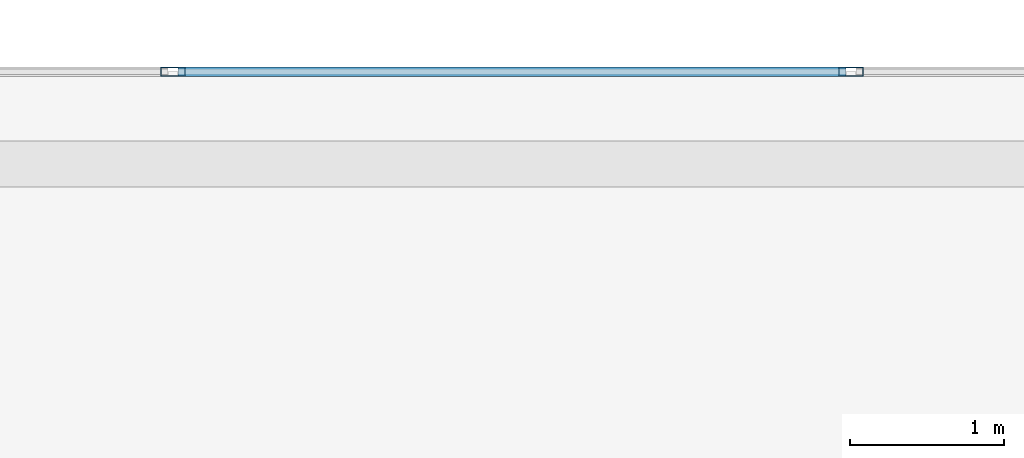
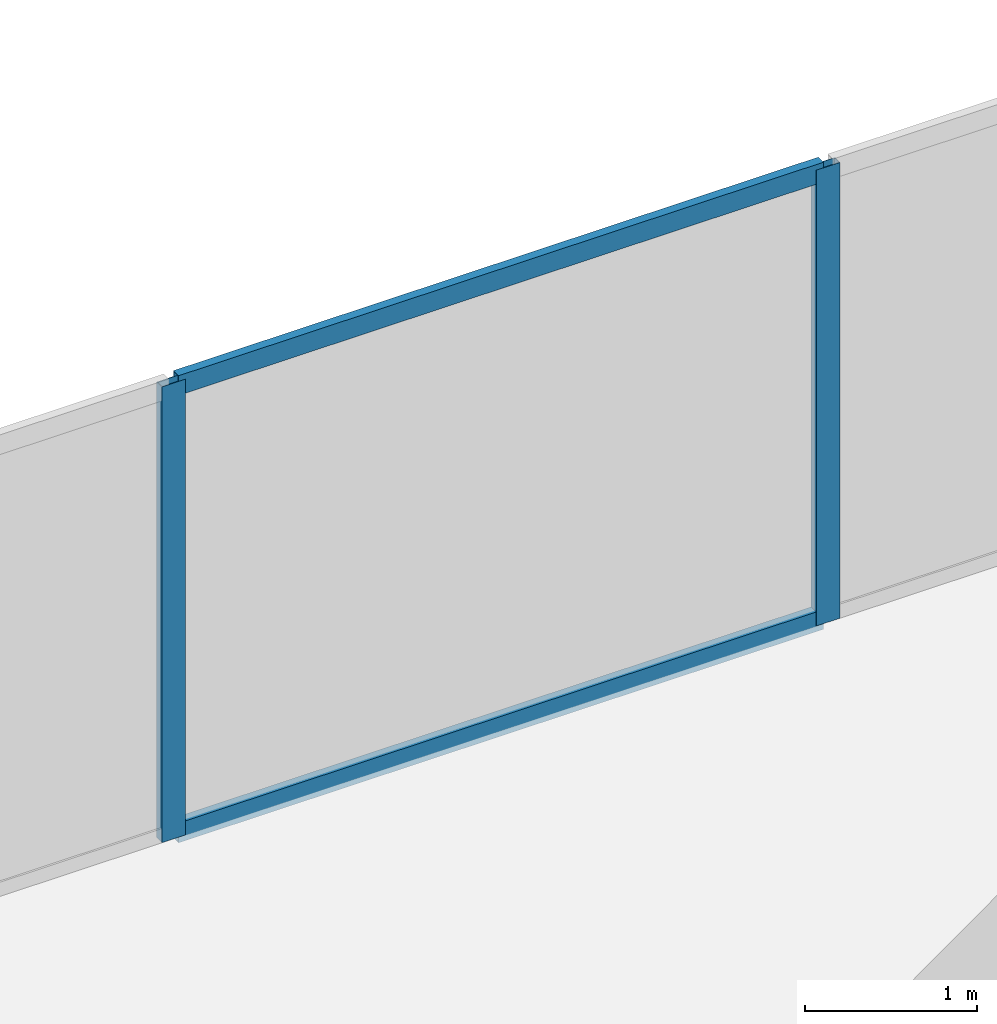
# One storey, part 22 of 32: 4 members, 1 element without a shape of its own.
"""IFC4 building model written with IfcOpenShell, lengths in metres."""

from ifc_helpers import new_model, si_unit, direction, frame, origin, origin_2d, place, context, subcontext, project, spatial, hollow_rectangle, extrude, material, layer, layer_set, material_profile, profile_set, type_object, element, aggregate, save


model = new_model("IFC4")

# Units and contexts
model_context = context("Model", 3, precision=1e-05, world=origin(), true_north=direction((0.0, 1.0)))
body_context = subcontext(model_context, "Body", "Model", "MODEL_VIEW")
ifc_project = project(units=[si_unit("LENGTHUNIT", "METRE"), si_unit("AREAUNIT", "SQUARE_METRE"), si_unit("VOLUMEUNIT", "CUBIC_METRE"), si_unit("PLANEANGLEUNIT", "RADIAN"), si_unit("MASSUNIT", "GRAM", prefix="KILO")], contexts=[model_context])

# Site, building, storey
site_placement = place(None, origin())
site = spatial("IfcSite", under=ifc_project, at=site_placement, CompositionType="ELEMENT")
building_placement = place(site_placement, origin())
building = spatial("IfcBuilding", under=site, at=building_placement, Name="Catumbela Crestline Tower", CompositionType="ELEMENT")
storey_placement = place(building_placement, frame((0.0, 0.0, 140.4)))
storey = spatial("IfcBuildingStorey", under=building, at=storey_placement, Name="L36", CompositionType="ELEMENT", Elevation=140.4)

# Curtain wall, members
ifc_material = material(Name="Aluminium alloy AW-6060-T66", Category="aluminium")
ifc_layer = layer(ifc_material, 0.18, Name="Aluminium alloy AW-6060-T66")
ifc_layer_set = layer_set([ifc_layer], Name="Aluminium alloy AW-6060-T66")
curtain_wall_type = type_object("IfcCurtainWallType", Name="CWU-Z2", PredefinedType="USERDEFINED", material=ifc_layer_set)
curtain_wall_placement = place(storey_placement, origin())
curtain_wall = element("IfcCurtainWall", 1, at=curtain_wall_placement, inside=storey, type_object=curtain_wall_type, Name="L36 Unitised Curtain Wall CW-L36-E7S1", ObjectType="UNITISED", PredefinedType="USERDEFINED")
ifc_material_profile_1 = material_profile(ifc_material, hollow_rectangle(XDim=0.06, YDim=0.16, WallThickness=0.004, at=origin_2d()), Name="ALU 160x60x4")
ifc_profile_set_1 = profile_set([ifc_material_profile_1], Name="Aluminium alloy AW-6060-T66")
member_type_1 = type_object("IfcMemberType", Name="MUL-160X60", PredefinedType="MULLION", material=ifc_profile_set_1)
member_1_placement = place(storey_placement, frame((29.9, 48.0, 0.0), z_axis=(0.0, 0.0, 1.0), x_axis=(0.0, -1.0, 0.0)))
member_1 = element("IfcMember", 2, at=member_1_placement, type_object=member_type_1, Name="CWU-Z2 mullion 5", PredefinedType="MULLION", context=body_context, shape_type="SweptSolid", body=[
    extrude(hollow_rectangle(XDim=0.06, YDim=0.16, WallThickness=0.004, at=origin_2d()), origin(), (0.0, 0.0, 1.0), 3.24),
])
member_2_placement = place(storey_placement, frame((25.5, 48.0, 0.0), z_axis=(0.0, 0.0, 1.0), x_axis=(0.0, -1.0, 0.0)))
member_2 = element("IfcMember", 3, at=member_2_placement, type_object=member_type_1, Name="CWU-Z2 mullion 6", PredefinedType="MULLION", context=body_context, shape_type="SweptSolid", body=[
    extrude(hollow_rectangle(XDim=0.06, YDim=0.16, WallThickness=0.004, at=origin_2d()), origin(), (0.0, 0.0, 1.0), 3.24),
])
ifc_material_profile_2 = material_profile(ifc_material, hollow_rectangle(XDim=0.06, YDim=0.14, WallThickness=0.004, at=origin_2d()), Name="ALU 140x60x4")
ifc_profile_set_2 = profile_set([ifc_material_profile_2], Name="Aluminium alloy AW-6060-T66")
member_type_2 = type_object("IfcMemberType", Name="TRN-140X60", PredefinedType="USERDEFINED", material=ifc_profile_set_2)
member_3_placement = place(storey_placement, frame((29.8675, 48.0, 0.03), z_axis=(-1.0, 0.0, 0.0), x_axis=(0.0, -1.0, 0.0)))
member_3 = element("IfcMember", 4, at=member_3_placement, type_object=member_type_2, Name="CWU-Z2 transom 5.1", ObjectType="TRANSOM", PredefinedType="USERDEFINED", context=body_context, shape_type="SweptSolid", body=[
    extrude(hollow_rectangle(XDim=0.06, YDim=0.14, WallThickness=0.004, at=origin_2d()), origin(), (0.0, 0.0, 1.0), 4.335),
])
member_4_placement = place(storey_placement, frame((29.8675, 48.0, 3.21), z_axis=(-1.0, 0.0, 0.0), x_axis=(0.0, -1.0, 0.0)))
member_4 = element("IfcMember", 5, at=member_4_placement, type_object=member_type_2, Name="CWU-Z2 transom 5.2", ObjectType="TRANSOM", PredefinedType="USERDEFINED", context=body_context, shape_type="SweptSolid", body=[
    extrude(hollow_rectangle(XDim=0.06, YDim=0.14, WallThickness=0.004, at=origin_2d()), origin(), (0.0, 0.0, 1.0), 4.335),
])
aggregate(curtain_wall, [member_1, member_2, member_3, member_4])

save(model, "model.ifc")
